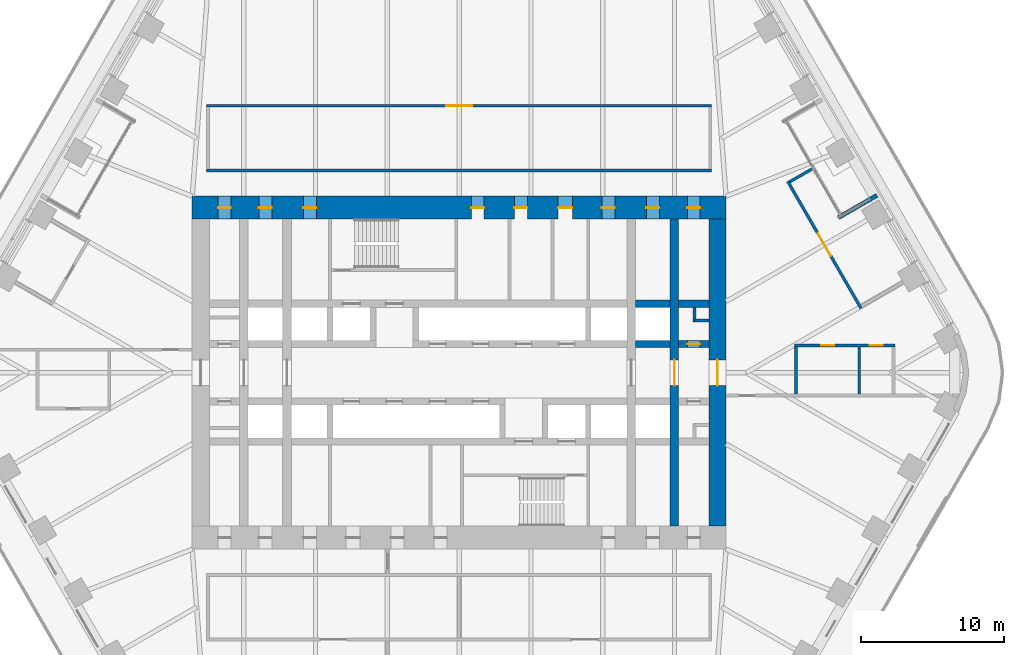
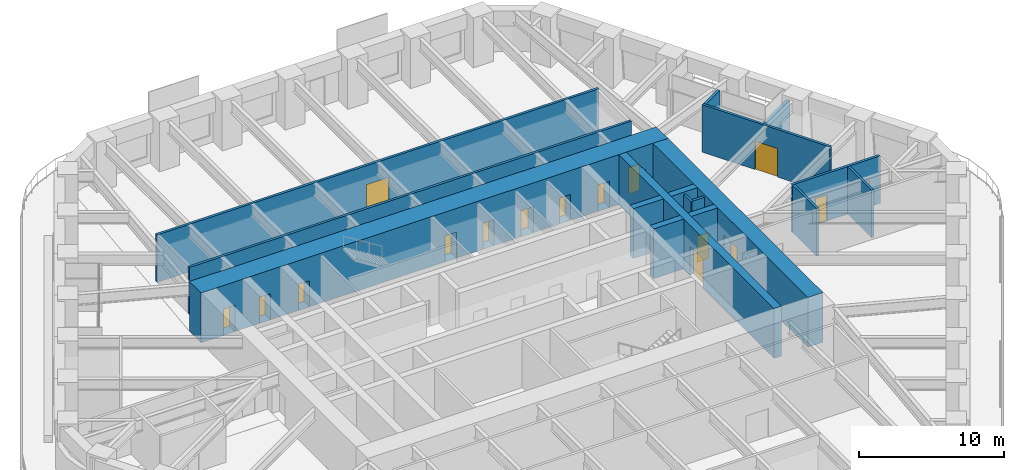
# One storey, part 20 of 24: 17 walls, 16 doors, 16 openings.
"""IFC4 building model written with IfcOpenShell, lengths in metres."""

from ifc_helpers import new_model, si_unit, direction, frame, frame_2d, origin, place, context, subcontext, project, spatial, rectangle, extrude, material, layer, layer_set, type_object, element, fill, save


model = new_model("IFC4")

# Units and contexts
model_context = context("Model", 3, precision=1e-05, world=origin(), true_north=direction((0.0, 1.0)))
body_context = subcontext(model_context, "Body", "Model", "MODEL_VIEW")
ifc_project = project(units=[si_unit("LENGTHUNIT", "METRE"), si_unit("AREAUNIT", "SQUARE_METRE"), si_unit("VOLUMEUNIT", "CUBIC_METRE"), si_unit("PLANEANGLEUNIT", "RADIAN"), si_unit("MASSUNIT", "GRAM", prefix="KILO")], contexts=[model_context])

# Site, building, storey
site_placement = place(None, origin())
site = spatial("IfcSite", under=ifc_project, at=site_placement, CompositionType="ELEMENT")
building_placement = place(site_placement, origin())
building = spatial("IfcBuilding", under=site, at=building_placement, Name="Tarfa Lantern Tower", CompositionType="ELEMENT")
storey_placement = place(building_placement, frame((0.0, 0.0, 178.300048828125)))
storey = spatial("IfcBuildingStorey", under=building, at=storey_placement, Name="L40", CompositionType="ELEMENT", Elevation=178.300048828125)

# Walls
ifc_material_1 = material(Name="Limestone cladding on blockwork", Category="masonry")
ifc_layer_1 = layer(ifc_material_1, 0.300048828125)
ifc_layer_set_1 = layer_set([ifc_layer_1], Name="EW1 STONE-CLAD WALL 300")
wall_type_1 = type_object("IfcWallType", Name="EW1 STONE-CLAD WALL 300", PredefinedType="SOLIDWALL", material=ifc_layer_set_1)
wall_1_placement = place(storey_placement, frame((29.1201171875, 12.362548828125, 0.0), z_axis=(0.0, 0.0, 1.0), x_axis=(-0.86602952684, -0.49999285859, 0.0)))
element("IfcWall", 1, at=wall_1_placement, inside=storey, type_object=wall_type_1, Name="Loggia return NE 1", PredefinedType="SOLIDWALL", context=body_context, shape_type="SweptSolid", body=[
    extrude(rectangle(XDim=3.10009765625, YDim=0.300048828125, at=frame_2d((1.550048828125, 0.0))), origin(), (0.0, 0.0, 1.0), 2.75),
])
ifc_material_2 = material(Name="Concrete blockwork", Category="masonry")
ifc_layer_2 = layer(ifc_material_2, 0.199951171875)
ifc_layer_set_2 = layer_set([ifc_layer_2], Name="IW1 BLOCKWORK PARTITION 200 EI 120")
wall_type_2 = type_object("IfcWallType", Name="IW1 BLOCKWORK PARTITION 200 EI 120", PredefinedType="PARTITIONING", material=ifc_layer_set_2)
for number, where, z_axis, x_axis, name in (
    (2, (16.39990234375, 3.64990234375, 0.0), (0.0, 0.0, 1.0), (1.0, 0.0, 0.0), "Core partition"),
    (3, (16.39990234375, 3.550048828125, 0.0), (0.0, 0.0, 1.0), (0.0, 1.0, 0.0), "Core partition"),
):
    element("IfcWall", number, at=place(storey_placement, frame(where, z_axis=z_axis, x_axis=x_axis)), inside=storey, type_object=wall_type_2, Name=name, PredefinedType="PARTITIONING", context=body_context, shape_type="SweptSolid", body=[
        extrude(rectangle(XDim=1.0, YDim=0.199951171875, at=frame_2d((0.5, 0.0))), origin(), (0.0, 0.0, 1.0), 4.0),
    ])
ifc_material_3 = material(Name="Gypsum board on steel studs", Category="steel")
ifc_layer_3 = layer(ifc_material_3, 0.2099609375)
ifc_layer_set_3 = layer_set([ifc_layer_3], Name="IW2 ACOUSTIC PARTITION 200")
wall_type_3 = type_object("IfcWallType", Name="IW2 ACOUSTIC PARTITION 200", PredefinedType="PARTITIONING", material=ifc_layer_set_3)
wall_2_placement = place(storey_placement, frame((-17.60009765625, 14.10009765625, 0.0), z_axis=(0.0, 0.0, 1.0), x_axis=(1.0, 0.0, 0.0)))
element("IfcWall", 4, at=wall_2_placement, inside=storey, type_object=wall_type_3, Name="Partition", PredefinedType="PARTITIONING", context=body_context, shape_type="SweptSolid", body=[
    extrude(rectangle(XDim=35.2001953125, YDim=0.199951171875, at=frame_2d((17.60009765625, 0.0))), origin(), (0.0, 0.0, 1.0), 4.0),
])

# Wall, opening, door
wall_3_placement = place(storey_placement, frame((-17.60009765625, 18.60009765625, 0.0), z_axis=(0.0, 0.0, 1.0), x_axis=(1.0, 0.0, 0.0)))
wall_3 = element("IfcWall", 5, at=wall_3_placement, inside=storey, type_object=wall_type_3, Name="Partition", PredefinedType="PARTITIONING", context=body_context, shape_type="SweptSolid", body=[
    extrude(rectangle(XDim=35.2001953125, YDim=0.199951171875, at=frame_2d((17.60009765625, 0.0))), origin(), (0.0, 0.0, 1.0), 4.0),
])
opening_1_placement = place(wall_3_placement, frame((16.699951171875, 0.0, 0.0)))
opening_1 = element("IfcOpeningElement", 6, at=opening_1_placement, cuts=wall_3, Name="Opening D36", PredefinedType="OPENING", context=body_context, shape_type="SweptSolid", body=[
    extrude(rectangle(XDim=1.800048828125, YDim=2.39990234375, at=frame_2d((0.89990234375, 1.199951171875))), frame((0.0, 0.10986328125, 0.0), z_axis=(0.0, -1.0, 0.0), x_axis=(1.0, 0.0, 0.0)), (0.0, 0.0, 1.0), 0.219970703125),
])
ifc_material_4 = material(Name="Timber door", Category="wood")
door_type_1 = type_object("IfcDoorType", Name="DR2 ROOM DOOR 1800x2400", OperationType="DOUBLE_DOOR_SINGLE_SWING", PredefinedType="DOOR", material=ifc_material_4)
door_1_placement = place(opening_1_placement, frame((1.800048828125, 0.0, 0.0), z_axis=(0.0, 0.0, 1.0), x_axis=(-1.0, 0.0, 0.0)))
door_1 = element("IfcDoor", 7, at=door_1_placement, inside=storey, type_object=door_type_1, Name="Meeting room door", OperationType="DOUBLE_DOOR_SINGLE_SWING", OverallHeight=2.39990234375, OverallWidth=1.800048828125, PredefinedType="DOOR", context=body_context, shape_type="SweptSolid", body=[
    extrude(rectangle(XDim=1.800048828125, YDim=2.39990234375, at=frame_2d((0.89990234375, 1.199951171875))), frame((0.0, 0.02490234375, 0.0), z_axis=(0.0, -1.0, 0.0), x_axis=(1.0, 0.0, 0.0)), (0.0, 0.0, 1.0), 0.050048828125),
])
fill(opening_1, door_1)

wall_4_placement = place(storey_placement, frame((28.00341796875, 4.496826171875, 0.0), z_axis=(0.0, 0.0, 1.0), x_axis=(-0.500005407604, 0.86602228168, 0.0)))
wall_4 = element("IfcWall", 8, at=wall_4_placement, inside=storey, type_object=wall_type_3, Name="Partition", PredefinedType="PARTITIONING", context=body_context, shape_type="SweptSolid", body=[
    extrude(rectangle(XDim=10.20751953125, YDim=0.199951171875, at=frame_2d((5.103759765625, 0.0))), origin(), (0.0, 0.0, 1.0), 4.0),
])
opening_2_placement = place(wall_4_placement, frame((4.20361328125, 0.0, 0.0)))
opening_2 = element("IfcOpeningElement", 9, at=opening_2_placement, cuts=wall_4, Name="Opening D33", PredefinedType="OPENING", context=body_context, shape_type="SweptSolid", body=[
    extrude(rectangle(XDim=1.800048828125, YDim=2.39990234375, at=frame_2d((0.89990234375, 1.199951171875))), frame((0.0, 0.10986328125, 0.0), z_axis=(0.0, -1.0, 0.0), x_axis=(1.0, 0.0, 0.0)), (0.0, 0.0, 1.0), 0.219970703125),
])
door_2_placement = place(opening_2_placement, frame((1.800048828125, 0.0, 0.0), z_axis=(0.0, 0.0, 1.0), x_axis=(-1.0, 0.0, 0.0)))
door_2 = element("IfcDoor", 10, at=door_2_placement, inside=storey, type_object=door_type_1, Name="Creative studio door", OperationType="DOUBLE_DOOR_SINGLE_SWING", OverallHeight=2.39990234375, OverallWidth=1.800048828125, PredefinedType="DOOR", context=body_context, shape_type="SweptSolid", body=[
    extrude(rectangle(XDim=1.800048828125, YDim=2.39990234375, at=frame_2d((0.89990234375, 1.199951171875))), frame((0.0, 0.02490234375, 0.0), z_axis=(0.0, -1.0, 0.0), x_axis=(1.0, 0.0, 0.0)), (0.0, 0.0, 1.0), 0.050048828125),
])
fill(opening_2, door_2)

# Wall
wall_5_placement = place(storey_placement, frame((23.036376953125, 13.300048828125, 0.0), z_axis=(0.0, 0.0, 1.0), x_axis=(0.866029456041, 0.49999298122, 0.0)))
element("IfcWall", 11, at=wall_5_placement, inside=storey, type_object=wall_type_3, Name="Partition", PredefinedType="PARTITIONING", context=body_context, shape_type="SweptSolid", body=[
    extrude(rectangle(XDim=1.90087890625, YDim=0.199951171875, at=frame_2d((0.950439453125, 0.0))), origin(), (0.0, 0.0, 1.0), 4.0),
])

# Wall, openings, doors
wall_6_placement = place(storey_placement, frame((23.3828125, 1.89990234375, 0.0), z_axis=(0.0, 0.0, 1.0), x_axis=(1.0, 0.0, 0.0)))
wall_6 = element("IfcWall", 12, at=wall_6_placement, inside=storey, type_object=wall_type_3, Name="Partition", PredefinedType="PARTITIONING", context=body_context, shape_type="SweptSolid", body=[
    extrude(rectangle(XDim=7.0, YDim=0.199951171875, at=frame_2d((3.5, 0.0))), origin(), (0.0, 0.0, 1.0), 4.0),
])
opening_3_placement = place(wall_6_placement, frame((1.85009765625, 0.0, 0.0)))
opening_3 = element("IfcOpeningElement", 13, at=opening_3_placement, cuts=wall_6, Name="Opening D39", PredefinedType="OPENING", context=body_context, shape_type="SweptSolid", body=[
    extrude(rectangle(XDim=0.89990234375, YDim=2.199951171875, at=frame_2d((0.449951171875, 1.10009765625))), frame((0.0, 0.10986328125, 0.0), z_axis=(0.0, -1.0, 0.0), x_axis=(1.0, 0.0, 0.0)), (0.0, 0.0, 1.0), 0.219970703125),
])
opening_4_placement = place(wall_6_placement, frame((5.25, 0.0, 0.0)))
opening_4 = element("IfcOpeningElement", 14, at=opening_4_placement, cuts=wall_6, Name="Opening D40", PredefinedType="OPENING", context=body_context, shape_type="SweptSolid", body=[
    extrude(rectangle(XDim=0.89990234375, YDim=2.199951171875, at=frame_2d((0.449951171875, 1.10009765625))), frame((0.0, 0.10986328125, 0.0), z_axis=(0.0, -1.0, 0.0), x_axis=(1.0, 0.0, 0.0)), (0.0, 0.0, 1.0), 0.219970703125),
])
door_type_2 = type_object("IfcDoorType", Name="DR3 ROOM DOOR 900x2200", OperationType="SINGLE_SWING_LEFT", PredefinedType="DOOR", material=ifc_material_4)
door_3_placement = place(opening_3_placement, frame((0.89990234375, 0.0, 0.0), z_axis=(0.0, 0.0, 1.0), x_axis=(-1.0, 0.0, 0.0)))
door_3 = element("IfcDoor", 15, at=door_3_placement, inside=storey, type_object=door_type_2, Name="Project room door", OperationType="SINGLE_SWING_LEFT", OverallHeight=2.199951171875, OverallWidth=0.89990234375, PredefinedType="DOOR", context=body_context, shape_type="SweptSolid", body=[
    extrude(rectangle(XDim=0.89990234375, YDim=2.199951171875, at=frame_2d((0.449951171875, 1.10009765625))), frame((0.0, 0.02490234375, 0.0), z_axis=(0.0, -1.0, 0.0), x_axis=(1.0, 0.0, 0.0)), (0.0, 0.0, 1.0), 0.050048828125),
])
fill(opening_3, door_3)
door_4_placement = place(opening_4_placement, frame((0.89990234375, 0.0, 0.0), z_axis=(0.0, 0.0, 1.0), x_axis=(-1.0, 0.0, 0.0)))
door_4 = element("IfcDoor", 16, at=door_4_placement, inside=storey, type_object=door_type_2, Name="Print and copy room door", OperationType="SINGLE_SWING_RIGHT", OverallHeight=2.199951171875, OverallWidth=0.89990234375, PredefinedType="DOOR", context=body_context, shape_type="SweptSolid", body=[
    extrude(rectangle(XDim=0.89990234375, YDim=2.199951171875, at=frame_2d((0.449951171875, 1.10009765625))), frame((0.0, 0.02490234375, 0.0), z_axis=(0.0, -1.0, 0.0), x_axis=(1.0, 0.0, 0.0)), (0.0, 0.0, 1.0), 0.050048828125),
])
fill(opening_4, door_4)

# Walls
for number, where, z_axis, x_axis, name in (
    (17, (23.482666015625, -1.5, 0.0), (0.0, 0.0, 1.0), (0.0, 1.0, 0.0), "Partition"),
    (18, (27.8828125, -1.5, 0.0), (0.0, 0.0, 1.0), (0.0, 1.0, 0.0), "Partition"),
):
    element("IfcWall", number, at=place(storey_placement, frame(where, z_axis=z_axis, x_axis=x_axis)), inside=storey, type_object=wall_type_3, Name=name, PredefinedType="PARTITIONING", context=body_context, shape_type="SweptSolid", body=[
        extrude(rectangle(XDim=3.300048828125, YDim=0.199951171875, at=frame_2d((1.64990234375, 0.0))), origin(), (0.0, 0.0, 1.0), 4.0),
    ])

# Wall, opening, door
ifc_material_5 = material(Name="Concrete C80/95", Category="concrete")
ifc_layer_4 = layer(ifc_material_5, 1.199951171875)
ifc_layer_set_4 = layer_set([ifc_layer_4], Name="SW1 CORE WALL 1200")
wall_type_4 = type_object("IfcWallType", Name="SW1 CORE WALL 1200", PredefinedType="SHEAR", material=ifc_layer_set_4)
wall_7_placement = place(storey_placement, frame((18.0, -10.699951171875, 0.0), z_axis=(0.0, 0.0, 1.0), x_axis=(0.0, 1.0, 0.0)))
wall_7 = element("IfcWall", 19, at=wall_7_placement, inside=storey, type_object=wall_type_4, Name="Core wall E", PredefinedType="SHEAR", context=body_context, shape_type="SweptSolid", body=[
    extrude(rectangle(XDim=21.39990234375, YDim=1.199951171875, at=frame_2d((10.699951171875, 0.0))), origin(), (0.0, 0.0, 1.0), 4.199951171875),
])
opening_5_placement = place(wall_7_placement, frame((9.800048828125, 0.0, 0.0)))
opening_5 = element("IfcOpeningElement", 20, at=opening_5_placement, cuts=wall_7, Name="Opening D15", PredefinedType="OPENING", context=body_context, shape_type="SweptSolid", body=[
    extrude(rectangle(XDim=1.800048828125, YDim=2.39990234375, at=frame_2d((0.89990234375, 1.199951171875))), frame((0.0, 0.60986328125, 0.0), z_axis=(0.0, -1.0, 0.0), x_axis=(1.0, 0.0, 0.0)), (0.0, 0.0, 1.0), 1.219970703125),
])
ifc_material_6 = material(Name="Steel fire door", Category="steel")
door_type_3 = type_object("IfcDoorType", Name="DL1 LOBBY DOOR 1800x2400", OperationType="DOUBLE_DOOR_SINGLE_SWING", PredefinedType="DOOR", material=ifc_material_6)
door_5_placement = place(opening_5_placement, frame((1.800048828125, 0.0, 0.0), z_axis=(0.0, 0.0, 1.0), x_axis=(-1.0, 0.0, 0.0)))
door_5 = element("IfcDoor", 21, at=door_5_placement, inside=storey, type_object=door_type_3, Name="Lift lobby door", OperationType="DOUBLE_DOOR_SINGLE_SWING", OverallHeight=2.39990234375, OverallWidth=1.800048828125, PredefinedType="DOOR", context=body_context, shape_type="SweptSolid", body=[
    extrude(rectangle(XDim=1.800048828125, YDim=2.39990234375, at=frame_2d((0.89990234375, 1.199951171875))), frame((0.0, 0.02490234375, 0.0), z_axis=(0.0, -1.0, 0.0), x_axis=(1.0, 0.0, 0.0)), (0.0, 0.0, 1.0), 0.050048828125),
])
fill(opening_5, door_5)

# Wall
ifc_layer_5 = layer(ifc_material_5, 0.5)
ifc_layer_set_5 = layer_set([ifc_layer_5], Name="SW5 CORE WALL 500")
wall_type_5 = type_object("IfcWallType", Name="SW5 CORE WALL 500", PredefinedType="SHEAR", material=ifc_layer_set_5)
wall_8_placement = place(storey_placement, frame((12.300048828125, 2.0, 0.0), z_axis=(0.0, 0.0, 1.0), x_axis=(1.0, 0.0, 0.0)))
element("IfcWall", 22, at=wall_8_placement, inside=storey, type_object=wall_type_5, Name="Core wall lobby east N", PredefinedType="SHEAR", context=body_context, shape_type="SweptSolid", body=[
    extrude(rectangle(XDim=2.39990234375, YDim=0.5, at=frame_2d((1.199951171875, 0.0))), origin(), (0.0, 0.0, 1.0), 4.199951171875),
])

# Wall, opening, door
wall_9_placement = place(storey_placement, frame((15.300048828125, 2.0, 0.0), z_axis=(0.0, 0.0, 1.0), x_axis=(1.0, 0.0, 0.0)))
wall_9 = element("IfcWall", 23, at=wall_9_placement, inside=storey, type_object=wall_type_5, Name="Core wall lobby east N", PredefinedType="SHEAR", context=body_context, shape_type="SweptSolid", body=[
    extrude(rectangle(XDim=2.099853515625, YDim=0.5, at=frame_2d((1.0498046875, 0.0))), origin(), (0.0, 0.0, 1.0), 4.199951171875),
])
opening_6_placement = place(wall_9_placement, frame((0.60009765625, 0.0, 0.0)))
opening_6 = element("IfcOpeningElement", 24, at=opening_6_placement, cuts=wall_9, Name="Opening D17", PredefinedType="OPENING", context=body_context, shape_type="SweptSolid", body=[
    extrude(rectangle(XDim=0.89990234375, YDim=2.199951171875, at=frame_2d((0.449951171875, 1.10009765625))), frame((0.0, 0.260009765625, 0.0), z_axis=(0.0, -1.0, 0.0), x_axis=(1.0, 0.0, 0.0)), (0.0, 0.0, 1.0), 0.52001953125),
])
door_type_4 = type_object("IfcDoorType", Name="DF6 SERVICE ROOM DOOR 900x2200", OperationType="SINGLE_SWING_LEFT", PredefinedType="DOOR", material=ifc_material_6)
door_6_placement = place(opening_6_placement, origin())
door_6 = element("IfcDoor", 25, at=door_6_placement, inside=storey, type_object=door_type_4, Name="Service room door", OperationType="SINGLE_SWING_LEFT", OverallHeight=2.199951171875, OverallWidth=0.89990234375, PredefinedType="DOOR", context=body_context, shape_type="SweptSolid", body=[
    extrude(rectangle(XDim=0.89990234375, YDim=2.199951171875, at=frame_2d((0.449951171875, 1.10009765625))), frame((0.0, 0.02490234375, 0.0), z_axis=(0.0, -1.0, 0.0), x_axis=(1.0, 0.0, 0.0)), (0.0, 0.0, 1.0), 0.050048828125),
])
fill(opening_6, door_6)

# Walls
wall_10_placement = place(storey_placement, frame((12.300048828125, 4.800048828125, 0.0), z_axis=(0.0, 0.0, 1.0), x_axis=(1.0, 0.0, 0.0)))
element("IfcWall", 26, at=wall_10_placement, inside=storey, type_object=wall_type_5, Name="Core wall rear N", PredefinedType="SHEAR", context=body_context, shape_type="SweptSolid", body=[
    extrude(rectangle(XDim=2.39990234375, YDim=0.5, at=frame_2d((1.199951171875, 0.0))), origin(), (0.0, 0.0, 1.0), 4.199951171875),
])
wall_11_placement = place(storey_placement, frame((15.300048828125, 4.800048828125, 0.0), z_axis=(0.0, 0.0, 1.0), x_axis=(1.0, 0.0, 0.0)))
element("IfcWall", 27, at=wall_11_placement, inside=storey, type_object=wall_type_5, Name="Core wall rear N", PredefinedType="SHEAR", context=body_context, shape_type="SweptSolid", body=[
    extrude(rectangle(XDim=2.099853515625, YDim=0.5, at=frame_2d((1.0498046875, 0.0))), origin(), (0.0, 0.0, 1.0), 4.199951171875),
])

# Wall, openings, doors
ifc_layer_6 = layer(ifc_material_5, 1.60009765625)
ifc_layer_set_6 = layer_set([ifc_layer_6], Name="SW7 CORE WALL 1600")
wall_type_6 = type_object("IfcWallType", Name="SW7 CORE WALL 1600", PredefinedType="SHEAR", material=ifc_layer_set_6)
wall_12_placement = place(storey_placement, frame((-18.60009765625, 11.5, 0.0), z_axis=(0.0, 0.0, 1.0), x_axis=(1.0, 0.0, 0.0)))
wall_12 = element("IfcWall", 28, at=wall_12_placement, inside=storey, type_object=wall_type_6, Name="Core wall N", PredefinedType="SHEAR", context=body_context, shape_type="SweptSolid", body=[
    extrude(rectangle(XDim=37.2001953125, YDim=1.60009765625, at=frame_2d((18.60009765625, 0.0))), origin(), (0.0, 0.0, 1.0), 4.199951171875),
])
opening_7_placement = place(wall_12_placement, frame((19.449951171875, 0.0, 0.0)))
opening_7 = element("IfcOpeningElement", 29, at=opening_7_placement, cuts=wall_12, Name="Opening D21", PredefinedType="OPENING", context=body_context, shape_type="SweptSolid", body=[
    extrude(rectangle(XDim=0.89990234375, YDim=2.199951171875, at=frame_2d((0.449951171875, 1.10009765625))), frame((0.0, 0.81005859375, 0.0), z_axis=(0.0, -1.0, 0.0), x_axis=(1.0, 0.0, 0.0)), (0.0, 0.0, 1.0), 1.6201171875),
])
opening_8_placement = place(wall_12_placement, frame((22.449951171875, 0.0, 0.0)))
opening_8 = element("IfcOpeningElement", 30, at=opening_8_placement, cuts=wall_12, Name="Opening D23", PredefinedType="OPENING", context=body_context, shape_type="SweptSolid", body=[
    extrude(rectangle(XDim=0.89990234375, YDim=2.199951171875, at=frame_2d((0.449951171875, 1.10009765625))), frame((0.0, 0.81005859375, 0.0), z_axis=(0.0, -1.0, 0.0), x_axis=(1.0, 0.0, 0.0)), (0.0, 0.0, 1.0), 1.6201171875),
])
opening_9_placement = place(wall_12_placement, frame((25.5, 0.0, 0.0)))
opening_9 = element("IfcOpeningElement", 31, at=opening_9_placement, cuts=wall_12, Name="Opening D25", PredefinedType="OPENING", context=body_context, shape_type="SweptSolid", body=[
    extrude(rectangle(XDim=1.0, YDim=2.199951171875, at=frame_2d((0.5, 1.10009765625))), frame((0.0, 0.81005859375, 0.0), z_axis=(0.0, -1.0, 0.0), x_axis=(1.0, 0.0, 0.0)), (0.0, 0.0, 1.0), 1.6201171875),
])
opening_10_placement = place(wall_12_placement, frame((1.800048828125, 0.0, 0.0)))
opening_10 = element("IfcOpeningElement", 32, at=opening_10_placement, cuts=wall_12, Name="Opening D11", PredefinedType="OPENING", context=body_context, shape_type="SweptSolid", body=[
    extrude(rectangle(XDim=0.89990234375, YDim=2.199951171875, at=frame_2d((0.449951171875, 1.10009765625))), frame((0.0, 0.81005859375, 0.0), z_axis=(0.0, -1.0, 0.0), x_axis=(1.0, 0.0, 0.0)), (0.0, 0.0, 1.0), 1.6201171875),
])
opening_11_placement = place(wall_12_placement, frame((4.64990234375, 0.0, 0.0)))
opening_11 = element("IfcOpeningElement", 33, at=opening_11_placement, cuts=wall_12, Name="Opening D07", PredefinedType="OPENING", context=body_context, shape_type="SweptSolid", body=[
    extrude(rectangle(XDim=0.89990234375, YDim=2.199951171875, at=frame_2d((0.449951171875, 1.10009765625))), frame((0.0, 0.81005859375, 0.0), z_axis=(0.0, -1.0, 0.0), x_axis=(1.0, 0.0, 0.0)), (0.0, 0.0, 1.0), 1.6201171875),
])
opening_12_placement = place(wall_12_placement, frame((7.75, 0.0, 0.0)))
opening_12 = element("IfcOpeningElement", 34, at=opening_12_placement, cuts=wall_12, Name="Opening D09", PredefinedType="OPENING", context=body_context, shape_type="SweptSolid", body=[
    extrude(rectangle(XDim=0.89990234375, YDim=2.199951171875, at=frame_2d((0.449951171875, 1.10009765625))), frame((0.0, 0.81005859375, 0.0), z_axis=(0.0, -1.0, 0.0), x_axis=(1.0, 0.0, 0.0)), (0.0, 0.0, 1.0), 1.6201171875),
])
opening_13_placement = place(wall_12_placement, frame((28.550048828125, 0.0, 0.0)))
opening_13 = element("IfcOpeningElement", 35, at=opening_13_placement, cuts=wall_12, Name="Opening D05", PredefinedType="OPENING", context=body_context, shape_type="SweptSolid", body=[
    extrude(rectangle(XDim=0.89990234375, YDim=2.199951171875, at=frame_2d((0.449951171875, 1.10009765625))), frame((0.0, 0.81005859375, 0.0), z_axis=(0.0, -1.0, 0.0), x_axis=(1.0, 0.0, 0.0)), (0.0, 0.0, 1.0), 1.6201171875),
])
opening_14_placement = place(wall_12_placement, frame((31.64990234375, 0.0, 0.0)))
opening_14 = element("IfcOpeningElement", 36, at=opening_14_placement, cuts=wall_12, Name="Opening D01", PredefinedType="OPENING", context=body_context, shape_type="SweptSolid", body=[
    extrude(rectangle(XDim=0.89990234375, YDim=2.199951171875, at=frame_2d((0.449951171875, 1.10009765625))), frame((0.0, 0.81005859375, 0.0), z_axis=(0.0, -1.0, 0.0), x_axis=(1.0, 0.0, 0.0)), (0.0, 0.0, 1.0), 1.6201171875),
])
opening_15_placement = place(wall_12_placement, frame((34.5, 0.0, 0.0)))
opening_15 = element("IfcOpeningElement", 37, at=opening_15_placement, cuts=wall_12, Name="Opening D03", PredefinedType="OPENING", context=body_context, shape_type="SweptSolid", body=[
    extrude(rectangle(XDim=0.89990234375, YDim=2.199951171875, at=frame_2d((0.449951171875, 1.10009765625))), frame((0.0, 0.81005859375, 0.0), z_axis=(0.0, -1.0, 0.0), x_axis=(1.0, 0.0, 0.0)), (0.0, 0.0, 1.0), 1.6201171875),
])
door_type_5 = type_object("IfcDoorType", Name="DF3 CORE ROOM DOOR 900x2200", OperationType="SINGLE_SWING_LEFT", PredefinedType="DOOR", material=ifc_material_6)
door_7_placement = place(opening_7_placement, frame((0.89990234375, 0.0, 0.0), z_axis=(0.0, 0.0, 1.0), x_axis=(-1.0, 0.0, 0.0)))
door_7 = element("IfcDoor", 38, at=door_7_placement, inside=storey, type_object=door_type_5, Name="Core door", OperationType="SINGLE_SWING_LEFT", OverallHeight=2.199951171875, OverallWidth=0.89990234375, PredefinedType="DOOR", context=body_context, shape_type="SweptSolid", body=[
    extrude(rectangle(XDim=0.89990234375, YDim=2.199951171875, at=frame_2d((0.449951171875, 1.10009765625))), frame((0.0, 0.02490234375, 0.0), z_axis=(0.0, -1.0, 0.0), x_axis=(1.0, 0.0, 0.0)), (0.0, 0.0, 1.0), 0.050048828125),
])
fill(opening_7, door_7)
door_8_placement = place(opening_8_placement, frame((0.89990234375, 0.0, 0.0), z_axis=(0.0, 0.0, 1.0), x_axis=(-1.0, 0.0, 0.0)))
door_8 = element("IfcDoor", 39, at=door_8_placement, inside=storey, type_object=door_type_5, Name="Core door", OperationType="SINGLE_SWING_LEFT", OverallHeight=2.199951171875, OverallWidth=0.89990234375, PredefinedType="DOOR", context=body_context, shape_type="SweptSolid", body=[
    extrude(rectangle(XDim=0.89990234375, YDim=2.199951171875, at=frame_2d((0.449951171875, 1.10009765625))), frame((0.0, 0.02490234375, 0.0), z_axis=(0.0, -1.0, 0.0), x_axis=(1.0, 0.0, 0.0)), (0.0, 0.0, 1.0), 0.050048828125),
])
fill(opening_8, door_8)
door_type_6 = type_object("IfcDoorType", Name="DF4 CORE ROOM DOOR 1000x2200", OperationType="SINGLE_SWING_LEFT", PredefinedType="DOOR", material=ifc_material_6)
door_9_placement = place(opening_9_placement, frame((1.0, 0.0, 0.0), z_axis=(0.0, 0.0, 1.0), x_axis=(-1.0, 0.0, 0.0)))
door_9 = element("IfcDoor", 40, at=door_9_placement, inside=storey, type_object=door_type_6, Name="Core door", OperationType="SINGLE_SWING_LEFT", OverallHeight=2.199951171875, OverallWidth=1.0, PredefinedType="DOOR", context=body_context, shape_type="SweptSolid", body=[
    extrude(rectangle(XDim=1.0, YDim=2.199951171875, at=frame_2d((0.5, 1.10009765625))), frame((0.0, 0.02490234375, 0.0), z_axis=(0.0, -1.0, 0.0), x_axis=(1.0, 0.0, 0.0)), (0.0, 0.0, 1.0), 0.050048828125),
])
fill(opening_9, door_9)
door_type_7 = type_object("IfcDoorType", Name="DF5 RISER DOOR 900x2200", OperationType="SINGLE_SWING_LEFT", PredefinedType="DOOR", material=ifc_material_6)
door_10_placement = place(opening_10_placement, frame((0.89990234375, 0.0, 0.0), z_axis=(0.0, 0.0, 1.0), x_axis=(-1.0, 0.0, 0.0)))
door_10 = element("IfcDoor", 41, at=door_10_placement, inside=storey, type_object=door_type_7, Name="Riser door", OperationType="SINGLE_SWING_LEFT", OverallHeight=2.199951171875, OverallWidth=0.89990234375, PredefinedType="DOOR", context=body_context, shape_type="SweptSolid", body=[
    extrude(rectangle(XDim=0.89990234375, YDim=2.199951171875, at=frame_2d((0.449951171875, 1.10009765625))), frame((0.0, 0.02490234375, 0.0), z_axis=(0.0, -1.0, 0.0), x_axis=(1.0, 0.0, 0.0)), (0.0, 0.0, 1.0), 0.050048828125),
])
fill(opening_10, door_10)
door_11_placement = place(opening_11_placement, frame((0.89990234375, 0.0, 0.0), z_axis=(0.0, 0.0, 1.0), x_axis=(-1.0, 0.0, 0.0)))
door_11 = element("IfcDoor", 42, at=door_11_placement, inside=storey, type_object=door_type_7, Name="Riser door", OperationType="SINGLE_SWING_LEFT", OverallHeight=2.199951171875, OverallWidth=0.89990234375, PredefinedType="DOOR", context=body_context, shape_type="SweptSolid", body=[
    extrude(rectangle(XDim=0.89990234375, YDim=2.199951171875, at=frame_2d((0.449951171875, 1.10009765625))), frame((0.0, 0.02490234375, 0.0), z_axis=(0.0, -1.0, 0.0), x_axis=(1.0, 0.0, 0.0)), (0.0, 0.0, 1.0), 0.050048828125),
])
fill(opening_11, door_11)
door_12_placement = place(opening_12_placement, frame((0.89990234375, 0.0, 0.0), z_axis=(0.0, 0.0, 1.0), x_axis=(-1.0, 0.0, 0.0)))
door_12 = element("IfcDoor", 43, at=door_12_placement, inside=storey, type_object=door_type_7, Name="Riser door", OperationType="SINGLE_SWING_LEFT", OverallHeight=2.199951171875, OverallWidth=0.89990234375, PredefinedType="DOOR", context=body_context, shape_type="SweptSolid", body=[
    extrude(rectangle(XDim=0.89990234375, YDim=2.199951171875, at=frame_2d((0.449951171875, 1.10009765625))), frame((0.0, 0.02490234375, 0.0), z_axis=(0.0, -1.0, 0.0), x_axis=(1.0, 0.0, 0.0)), (0.0, 0.0, 1.0), 0.050048828125),
])
fill(opening_12, door_12)
door_13_placement = place(opening_13_placement, frame((0.89990234375, 0.0, 0.0), z_axis=(0.0, 0.0, 1.0), x_axis=(-1.0, 0.0, 0.0)))
door_13 = element("IfcDoor", 44, at=door_13_placement, inside=storey, type_object=door_type_7, Name="Riser door", OperationType="SINGLE_SWING_RIGHT", OverallHeight=2.199951171875, OverallWidth=0.89990234375, PredefinedType="DOOR", context=body_context, shape_type="SweptSolid", body=[
    extrude(rectangle(XDim=0.89990234375, YDim=2.199951171875, at=frame_2d((0.449951171875, 1.10009765625))), frame((0.0, 0.02490234375, 0.0), z_axis=(0.0, -1.0, 0.0), x_axis=(1.0, 0.0, 0.0)), (0.0, 0.0, 1.0), 0.050048828125),
])
fill(opening_13, door_13)
door_14_placement = place(opening_14_placement, frame((0.89990234375, 0.0, 0.0), z_axis=(0.0, 0.0, 1.0), x_axis=(-1.0, 0.0, 0.0)))
door_14 = element("IfcDoor", 45, at=door_14_placement, inside=storey, type_object=door_type_7, Name="Riser door", OperationType="SINGLE_SWING_RIGHT", OverallHeight=2.199951171875, OverallWidth=0.89990234375, PredefinedType="DOOR", context=body_context, shape_type="SweptSolid", body=[
    extrude(rectangle(XDim=0.89990234375, YDim=2.199951171875, at=frame_2d((0.449951171875, 1.10009765625))), frame((0.0, 0.02490234375, 0.0), z_axis=(0.0, -1.0, 0.0), x_axis=(1.0, 0.0, 0.0)), (0.0, 0.0, 1.0), 0.050048828125),
])
fill(opening_14, door_14)
door_15_placement = place(opening_15_placement, frame((0.89990234375, 0.0, 0.0), z_axis=(0.0, 0.0, 1.0), x_axis=(-1.0, 0.0, 0.0)))
door_15 = element("IfcDoor", 46, at=door_15_placement, inside=storey, type_object=door_type_7, Name="Riser door", OperationType="SINGLE_SWING_RIGHT", OverallHeight=2.199951171875, OverallWidth=0.89990234375, PredefinedType="DOOR", context=body_context, shape_type="SweptSolid", body=[
    extrude(rectangle(XDim=0.89990234375, YDim=2.199951171875, at=frame_2d((0.449951171875, 1.10009765625))), frame((0.0, 0.02490234375, 0.0), z_axis=(0.0, -1.0, 0.0), x_axis=(1.0, 0.0, 0.0)), (0.0, 0.0, 1.0), 0.050048828125),
])
fill(opening_15, door_15)

# Wall, opening, door
ifc_layer_7 = layer(ifc_material_5, 0.60009765625)
ifc_layer_set_7 = layer_set([ifc_layer_7], Name="SW9 CORE WALL 600")
wall_type_7 = type_object("IfcWallType", Name="SW9 CORE WALL 600", PredefinedType="SHEAR", material=ifc_layer_set_7)
wall_13_placement = place(storey_placement, frame((15.0, -10.699951171875, 0.0), z_axis=(0.0, 0.0, 1.0), x_axis=(0.0, 1.0, 0.0)))
wall_13 = element("IfcWall", 47, at=wall_13_placement, inside=storey, type_object=wall_type_7, Name="Core wall cross 15 m east", PredefinedType="SHEAR", context=body_context, shape_type="SweptSolid", body=[
    extrude(rectangle(XDim=21.39990234375, YDim=0.60009765625, at=frame_2d((10.699951171875, 0.0))), origin(), (0.0, 0.0, 1.0), 4.199951171875),
])
opening_16_placement = place(wall_13_placement, frame((9.800048828125, 0.0, 0.0)))
opening_16 = element("IfcOpeningElement", 48, at=opening_16_placement, cuts=wall_13, Name="Opening D30", PredefinedType="OPENING", context=body_context, shape_type="SweptSolid", body=[
    extrude(rectangle(XDim=1.800048828125, YDim=2.39990234375, at=frame_2d((0.89990234375, 1.199951171875))), frame((0.0, 0.31005859375, 0.0), z_axis=(0.0, -1.0, 0.0), x_axis=(1.0, 0.0, 0.0)), (0.0, 0.0, 1.0), 0.6201171875),
])
door_16_placement = place(opening_16_placement, origin())
door_16 = element("IfcDoor", 49, at=door_16_placement, inside=storey, type_object=door_type_3, Name="Lift lobby door", OperationType="DOUBLE_DOOR_SINGLE_SWING", OverallHeight=2.39990234375, OverallWidth=1.800048828125, PredefinedType="DOOR", context=body_context, shape_type="SweptSolid", body=[
    extrude(rectangle(XDim=1.800048828125, YDim=2.39990234375, at=frame_2d((0.89990234375, 1.199951171875))), frame((0.0, 0.02490234375, 0.0), z_axis=(0.0, -1.0, 0.0), x_axis=(1.0, 0.0, 0.0)), (0.0, 0.0, 1.0), 0.050048828125),
])
fill(opening_16, door_16)

save(model, "model.ifc")
